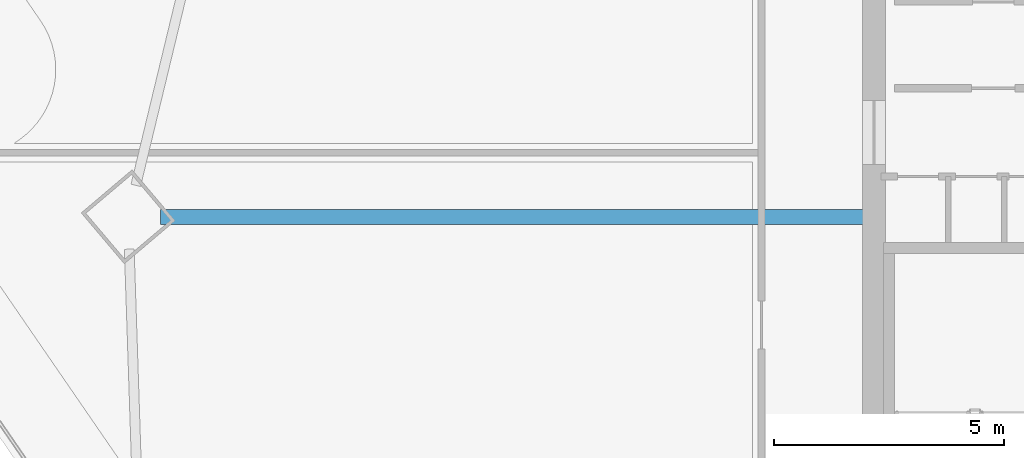
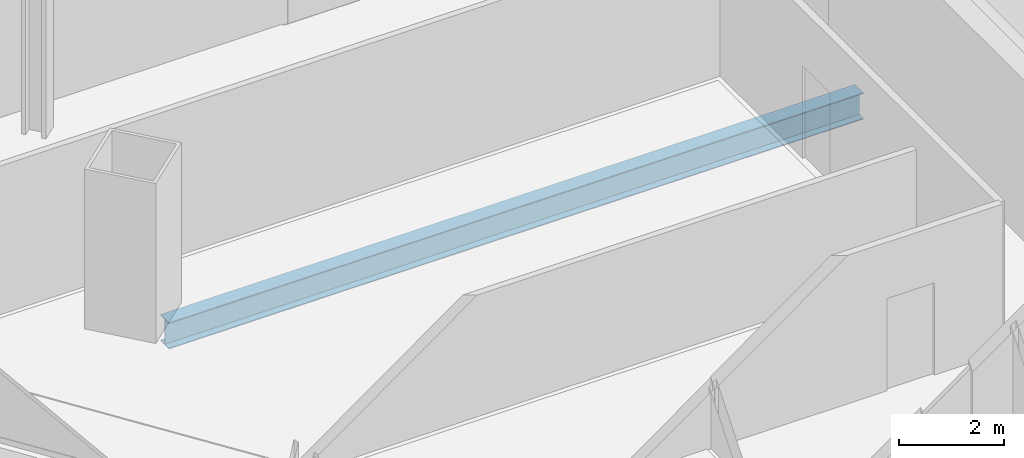
# One storey, part 12 of 29: 1 beam.
"""IFC4 building model written with IfcOpenShell, lengths in metres."""

import ifcopenshell
import ifcopenshell.guid

model = None  # the IFC model being written
_history = None  # IfcOwnerHistory: only IFC2X3 demands one
_inside = {}  # id of a spatial element -> (the spatial element, [elements in it])
_under = {}  # id of a project, library or spatial element -> (it, [spatial elements below it])
_declared = {}  # id of a project -> (the project, [libraries it declares])
_typed = {}  # id of a type object -> (the type object, [elements of that type])
_made_of = {}  # id of a material, layer set ... -> (it, [elements and type objects made of it])


def new_model(schema):
    """Start an empty IFC model of exactly this schema.

    Asked for "IFC4X3", IfcOpenShell would pick the latest addendum, in which some entities
    have other attributes; the version numbers below select the first issue.
    IFC2X3 requires an IfcOwnerHistory on every rooted entity: one is made here for all.
    """
    global model, _history
    if schema == "IFC4X3":
        model = ifcopenshell.file(schema_version=(4, 3, 0, 0))
    else:
        model = ifcopenshell.file(schema=schema)
    _inside.clear()
    _under.clear()
    _declared.clear()
    _typed.clear()
    _made_of.clear()
    _history = None
    if model.schema == "IFC2X3":
        org = make("IfcOrganization", Name="unknown")
        user = make(
            "IfcPersonAndOrganization",
            ThePerson=make("IfcPerson", FamilyName="unknown"),
            TheOrganization=org,
        )
        app = make(
            "IfcApplication",
            ApplicationDeveloper=org,
            Version="unknown",
            ApplicationFullName="unknown",
            ApplicationIdentifier="unknown",
        )
        _history = make(
            "IfcOwnerHistory",
            OwningUser=user,
            OwningApplication=app,
            ChangeAction="ADDED",
            CreationDate=0,
        )
    return model


def make(cls, **values):
    """One entity of the class cls with the attributes given. An attribute that is None is left unset."""
    return model.create_entity(
        cls, **{name: value for name, value in values.items() if value is not None}
    )


def rooted(cls, **values):
    """An entity with a GlobalId (a new one), such as an element, a storey or a relation."""
    return make(cls, GlobalId=ifcopenshell.guid.new(), OwnerHistory=_history, **values)


def si_unit(unit_type, name, prefix=None):
    """IfcSIUnit, for example si_unit("LENGTHUNIT", "METRE", prefix="MILLI")."""
    return make("IfcSIUnit", UnitType=unit_type, Prefix=prefix, Name=name)


def assignment(units):
    """IfcUnitAssignment: the units of a project."""
    return None if units is None else make("IfcUnitAssignment", Units=units)


def point(xyz):
    """IfcCartesianPoint."""
    return None if xyz is None else make("IfcCartesianPoint", Coordinates=xyz)


def direction(xyz):
    """IfcDirection."""
    return None if xyz is None else make("IfcDirection", DirectionRatios=xyz)


def frame(location, z_axis=None, x_axis=None):
    """IfcAxis2Placement3D, a coordinate frame: its origin and axes. An axis left out is left unset."""
    return make(
        "IfcAxis2Placement3D",
        Location=point(location),
        Axis=direction(z_axis),
        RefDirection=direction(x_axis),
    )


def frame_2d(location, x_axis=None):
    """IfcAxis2Placement2D, a coordinate frame in the plane: its origin and x axis."""
    return make(
        "IfcAxis2Placement2D", Location=point(location), RefDirection=direction(x_axis)
    )


def origin():
    """The frame at (0, 0, 0) with its axes left unset."""
    return frame((0.0, 0.0, 0.0))


def origin_2d():
    """The frame at (0, 0) in the plane with its x axis left unset."""
    return frame_2d((0.0, 0.0))


def place(relative_to, where):
    """IfcLocalPlacement: puts the frame where relative to a parent placement (None: the world)."""
    return make(
        "IfcLocalPlacement", PlacementRelTo=relative_to, RelativePlacement=where
    )


def context(
    kind, dimensions, precision=None, world=None, true_north=None, identifier=None
):
    """IfcGeometricRepresentationContext, for example the 3D "Model" context."""
    return make(
        "IfcGeometricRepresentationContext",
        ContextIdentifier=identifier,
        ContextType=kind,
        CoordinateSpaceDimension=dimensions,
        Precision=precision,
        WorldCoordinateSystem=world,
        TrueNorth=true_north,
    )


def subcontext(parent, identifier, kind, view, scale=None):
    """IfcGeometricRepresentationSubContext, for example "Body" below "Model"."""
    return make(
        "IfcGeometricRepresentationSubContext",
        ContextIdentifier=identifier,
        ContextType=kind,
        ParentContext=parent,
        TargetScale=scale,
        TargetView=view,
    )


def project(units=None, contexts=None):
    """IfcProject with its units and contexts."""
    return rooted(
        "IfcProject",
        Name="project",
        RepresentationContexts=contexts,
        UnitsInContext=assignment(units),
    )


def spatial(cls, under=None, at=None, **own):
    """A site, building, storey or space (cls), placed at a placement, below another one or the project."""
    s = rooted(cls, ObjectPlacement=at, **own)
    if under is not None:
        _under.setdefault(under.id(), (under, []))[1].append(s)
    return s


def profile(cls, at=None, kind="AREA", **sizes):
    """A parametric profile (cls). Its sizes go by their IFC names, for example OverallWidth=200.0."""
    return make(cls, ProfileType=kind, Position=at, **sizes)


def i_section(**sizes):
    """IfcIShapeProfileDef."""
    return profile("IfcIShapeProfileDef", **sizes)


def extrude(swept, where, along, depth):
    """IfcExtrudedAreaSolid: the profile swept, set in the frame where, extruded along a direction by depth."""
    return make(
        "IfcExtrudedAreaSolid",
        SweptArea=swept,
        Position=where,
        ExtrudedDirection=direction(along),
        Depth=depth,
    )


def shape(context_of_items, identifier, shape_type, items):
    """IfcShapeRepresentation: the items that make up one representation, for example the "Body"."""
    return make(
        "IfcShapeRepresentation",
        ContextOfItems=context_of_items,
        RepresentationIdentifier=identifier,
        RepresentationType=shape_type,
        Items=items,
    )


def material(Name=None, Category=None):
    """IfcMaterial."""
    return make("IfcMaterial", Name=Name, Category=Category)


def material_profile(
    of_material, cross_section, Name=None, Category=None, Priority=None
):
    """IfcMaterialProfile: a cross section and its material."""
    return make(
        "IfcMaterialProfile",
        Name=Name,
        Material=of_material,
        Profile=cross_section,
        Priority=Priority,
        Category=Category,
    )


def profile_set(profiles, Name=None, composite=None):
    """IfcMaterialProfileSet."""
    return make(
        "IfcMaterialProfileSet",
        Name=Name,
        MaterialProfiles=profiles,
        CompositeProfile=composite,
    )


def made_of(thing, what):
    """Note that an element or type object is made of a material, layer set ...; save() writes the relation."""
    if what is not None:
        _made_of.setdefault(what.id(), (what, []))[1].append(thing)
    return thing


def type_object(cls, material=None, **own):
    """A type object (cls), such as IfcWallType, which elements share."""
    return made_of(rooted(cls, **own), material)


def element(
    cls,
    number,
    at=None,
    inside=None,
    cuts=None,
    type_object=None,
    material=None,
    context=None,
    identifier="Body",
    shape_type=None,
    held_by="IfcProductDefinitionShape",
    body=None,
    shapes=None,
    **own,
):
    """One element of the class cls, such as IfcWall. Its Tag is "e" and its number.

    at: its placement. inside: the storey or other place that contains it. cuts: it is an
    opening in that element (IfcRelVoidsElement). A single representation is given by context,
    identifier, shape_type and body (its items); several are given by shapes. held_by: the class
    of the entity that holds the representations. save() writes the other relations.
    """
    e = rooted(cls, Tag="e%d" % number, ObjectPlacement=at, **own)
    if body is not None:
        shapes = [shape(context, identifier, shape_type, body)]
    if shapes is not None:
        e.Representation = make(held_by, Representations=shapes)
    if inside is not None:
        _inside.setdefault(inside.id(), (inside, []))[1].append(e)
    if cuts is not None:
        rooted(
            "IfcRelVoidsElement", RelatingBuildingElement=cuts, RelatedOpeningElement=e
        )
    if type_object is not None:
        _typed.setdefault(type_object.id(), (type_object, []))[1].append(e)
    return made_of(e, material)


def aggregate(whole, parts):
    """IfcRelAggregates: a whole, such as a stair, and the parts it consists of."""
    return rooted("IfcRelAggregates", RelatingObject=whole, RelatedObjects=parts)


def save(model, path):
    """Write the relations noted so far, then the file.

    IfcRelAggregates (storeys below a building ...), IfcRelContainedInSpatialStructure (elements
    in a storey), IfcRelDefinesByType, IfcRelAssociatesMaterial and IfcRelDeclares: one each for
    every whole, place, type object, material and project.
    """
    for whole, parts in _under.values():
        aggregate(whole, parts)
    for where, things in _inside.values():
        rooted(
            "IfcRelContainedInSpatialStructure",
            RelatedElements=things,
            RelatingStructure=where,
        )
    for kind, things in _typed.values():
        rooted("IfcRelDefinesByType", RelatedObjects=things, RelatingType=kind)
    for what, things in _made_of.values():
        rooted("IfcRelAssociatesMaterial", RelatedObjects=things, RelatingMaterial=what)
    for by, libraries in _declared.values():
        rooted("IfcRelDeclares", RelatingContext=by, RelatedDefinitions=libraries)
    model.write(path)


model = new_model("IFC4")

# Units and contexts
model_context = context("Model", 3, precision=1e-05, world=origin(), true_north=direction((0.0, 1.0)))
body_context = subcontext(model_context, "Body", "Model", "MODEL_VIEW")
ifc_project = project(units=[si_unit("LENGTHUNIT", "METRE"), si_unit("AREAUNIT", "SQUARE_METRE"), si_unit("VOLUMEUNIT", "CUBIC_METRE"), si_unit("PLANEANGLEUNIT", "RADIAN"), si_unit("MASSUNIT", "GRAM", prefix="KILO")], contexts=[model_context])

# Site, building, storey
site_placement = place(None, origin())
site = spatial("IfcSite", under=ifc_project, at=site_placement, CompositionType="ELEMENT")
building_placement = place(site_placement, origin())
building = spatial("IfcBuilding", under=site, at=building_placement, Name="Haldenkirk Collegiate Tower", CompositionType="ELEMENT")
storey_placement = place(building_placement, frame((0.0, 0.0, 144.449951171875)))
storey = spatial("IfcBuildingStorey", under=building, at=storey_placement, Name="L35", CompositionType="ELEMENT", Elevation=144.449951171875)

# Beam
ifc_material = material(Name="Steel ASTM A992 Grade 50", Category="steel")
ifc_material_profile = material_profile(ifc_material, i_section(OverallWidth=0.324951171875, OverallDepth=0.615966796875, WebThickness=0.013916015625, FlangeThickness=0.021484375, at=origin_2d()), Name="W24X117")
ifc_profile_set = profile_set([ifc_material_profile], Name="Steel ASTM A992 Grade 50")
beam_type = type_object("IfcBeamType", Name="BM-GIRDER-W24X117", PredefinedType="BEAM", material=ifc_profile_set)
beam_placement = place(storey_placement, frame((11.466064453125, 27.103759765625, -0.597900390625), z_axis=(1.0, 0.0, 0.0), x_axis=(0.0, 1.0, 0.0)))
element("IfcBeam", 1, at=beam_placement, inside=storey, type_object=beam_type, Name="L35 primary floor girder 04", PredefinedType="BEAM", context=body_context, shape_type="SweptSolid", body=[
    extrude(i_section(OverallWidth=0.324951171875, OverallDepth=0.615966796875, WebThickness=0.013916015625, FlangeThickness=0.021484375, at=origin_2d()), origin(), (0.0, 0.0, 1.0), 15.303955078125),
])

save(model, "model.ifc")
